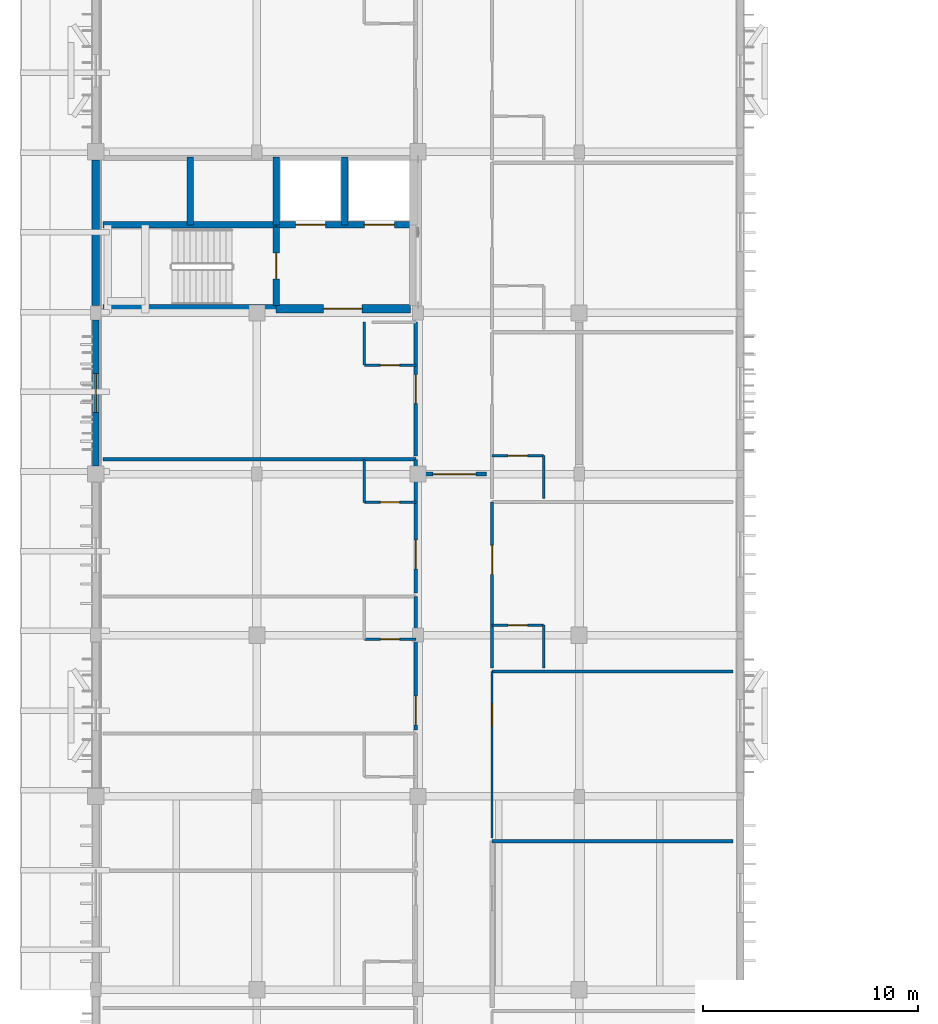
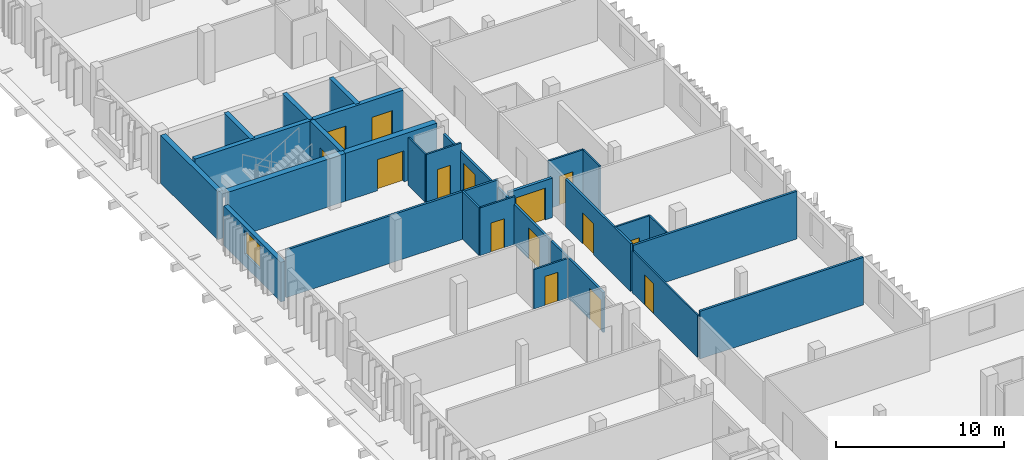
# One storey, part 17 of 43: 28 walls, 15 doors, 1 window, 16 openings.
"""IFC4 building model written with IfcOpenShell, lengths in metres."""

from ifc_helpers import new_model, si_unit, direction, frame, frame_2d, origin, place, context, subcontext, project, spatial, rectangle, extrude, material, layer, layer_set, type_object, element, fill, save


model = new_model("IFC4")

# Units and contexts
model_context = context("Model", 3, precision=1e-05, world=origin(), true_north=direction((0.0, 1.0)))
body_context = subcontext(model_context, "Body", "Model", "MODEL_VIEW")
ifc_project = project(units=[si_unit("LENGTHUNIT", "METRE"), si_unit("AREAUNIT", "SQUARE_METRE"), si_unit("VOLUMEUNIT", "CUBIC_METRE"), si_unit("PLANEANGLEUNIT", "RADIAN"), si_unit("MASSUNIT", "GRAM", prefix="KILO")], contexts=[model_context])

# Site, building, storey
site_placement = place(None, origin())
site = spatial("IfcSite", under=ifc_project, at=site_placement, CompositionType="ELEMENT")
building_placement = place(site_placement, origin())
building = spatial("IfcBuilding", under=site, at=building_placement, Name="Dalvernix Boulevard General Hospital", CompositionType="ELEMENT")
storey_placement = place(building_placement, frame((0.0, 0.0, 14.10009765625)))
storey = spatial("IfcBuildingStorey", under=building, at=storey_placement, Name="L03", CompositionType="ELEMENT", Elevation=14.10009765625)

# Wall
ifc_material_1 = material(Name="Concrete C40/50", Category="concrete")
ifc_layer_1 = layer(ifc_material_1, 0.39990234375)
ifc_layer_set_1 = layer_set([ifc_layer_1], Name="Concrete C40/50 (WAL-CSW-01)")
wall_type_1 = type_object("IfcWallType", Name="WAL-CSW-01", PredefinedType="SHEAR", material=ifc_layer_set_1)
wall_1_placement = place(storey_placement, frame((0.35009765625, 54.199951171875, 0.0), z_axis=(0.0, 0.0, 1.0), x_axis=(1.0, 0.0, 0.0)))
element("IfcWall", 1, at=wall_1_placement, inside=storey, type_object=wall_type_1, Name="L03 C2 south stairwell wall", PredefinedType="SHEAR", context=body_context, shape_type="SweptSolid", body=[
    extrude(rectangle(XDim=8.0498046875, YDim=0.39990234375, at=frame_2d((4.02490234375, 0.0))), origin(), (0.0, 0.0, 1.0), 3.469970703125),
])

# Wall, opening, door
wall_2_placement = place(storey_placement, frame((8.39990234375, 54.199951171875, 0.0), z_axis=(0.0, 0.0, 1.0), x_axis=(1.0, 0.0, 0.0)))
wall_2 = element("IfcWall", 2, at=wall_2_placement, inside=storey, type_object=wall_type_1, Name="L03 C2 south firefighting lobby wall", PredefinedType="SHEAR", context=body_context, shape_type="SweptSolid", body=[
    extrude(rectangle(XDim=6.25, YDim=0.39990234375, at=frame_2d((3.125, 0.0))), origin(), (0.0, 0.0, 1.0), 3.469970703125),
])
opening_1_placement = place(wall_2_placement, frame((2.199951171875, 0.0, 0.0)))
opening_1 = element("IfcOpeningElement", 3, at=opening_1_placement, cuts=wall_2, Name="Opening FD-01", PredefinedType="OPENING", context=body_context, shape_type="SweptSolid", body=[
    extrude(rectangle(XDim=1.800048828125, YDim=2.25, at=frame_2d((0.89990234375, 1.125))), frame((0.0, 0.2099609375, 0.0), z_axis=(0.0, -1.0, 0.0), x_axis=(1.0, 0.0, 0.0)), (0.0, 0.0, 1.0), 0.419921875),
])
ifc_material_2 = material(Name="Hospital laminate acoustic timber and steel frame", Category="steel")
door_type_1 = type_object("IfcDoorType", Name="DR-FD-01", OperationType="DOUBLE_DOOR_SINGLE_SWING", PredefinedType="DOOR", material=ifc_material_2)
door_1_placement = place(opening_1_placement, origin())
door_1 = element("IfcDoor", 4, at=door_1_placement, inside=storey, type_object=door_type_1, Name="L03 C2 firefighting lobby door", OperationType="DOUBLE_DOOR_SINGLE_SWING", OverallHeight=2.25, OverallWidth=1.800048828125, PredefinedType="DOOR", context=body_context, shape_type="SweptSolid", body=[
    extrude(rectangle(XDim=1.800048828125, YDim=2.25, at=frame_2d((0.89990234375, 1.125))), frame((0.0, 0.02490234375, 0.0), z_axis=(0.0, -1.0, 0.0), x_axis=(1.0, 0.0, 0.0)), (0.0, 0.0, 1.0), 0.050048828125),
])
fill(opening_1, door_1)

# Wall
ifc_layer_2 = layer(ifc_material_1, 0.300048828125)
ifc_layer_set_2 = layer_set([ifc_layer_2], Name="Concrete C40/50 (WAL-CSW-02)")
wall_type_2 = type_object("IfcWallType", Name="WAL-CSW-02", PredefinedType="SHEAR", material=ifc_layer_set_2)
wall_3_placement = place(storey_placement, frame((0.35009765625, 58.10009765625, 0.0), z_axis=(0.0, 0.0, 1.0), x_axis=(1.0, 0.0, 0.0)))
element("IfcWall", 5, at=wall_3_placement, inside=storey, type_object=wall_type_2, Name="L03 C2 riser spine wall", PredefinedType="SHEAR", context=body_context, shape_type="SweptSolid", body=[
    extrude(rectangle(XDim=8.0498046875, YDim=0.300048828125, at=frame_2d((4.02490234375, 0.0))), origin(), (0.0, 0.0, 1.0), 3.469970703125),
])

# Wall, openings, doors
wall_4_placement = place(storey_placement, frame((8.39990234375, 58.10009765625, 0.0), z_axis=(0.0, 0.0, 1.0), x_axis=(1.0, 0.0, 0.0)))
wall_4 = element("IfcWall", 6, at=wall_4_placement, inside=storey, type_object=wall_type_2, Name="L03 C2 lift shaft front wall", PredefinedType="SHEAR", context=body_context, shape_type="SweptSolid", body=[
    extrude(rectangle(XDim=6.25, YDim=0.300048828125, at=frame_2d((3.125, 0.0))), origin(), (0.0, 0.0, 1.0), 3.469970703125),
])
opening_2_placement = place(wall_4_placement, frame((0.89990234375, 0.0, 0.0)))
opening_2 = element("IfcOpeningElement", 7, at=opening_2_placement, cuts=wall_4, Name="Opening LD-FFL-03-L03", PredefinedType="OPENING", context=body_context, shape_type="SweptSolid", body=[
    extrude(rectangle(XDim=1.39990234375, YDim=2.25, at=frame_2d((0.699951171875, 1.125))), frame((0.0, 0.159912109375, 0.0), z_axis=(0.0, -1.0, 0.0), x_axis=(1.0, 0.0, 0.0)), (0.0, 0.0, 1.0), 0.320068359375),
])
opening_3_placement = place(wall_4_placement, frame((4.10009765625, 0.0, 0.0)))
opening_3 = element("IfcOpeningElement", 8, at=opening_3_placement, cuts=wall_4, Name="Opening LD-FFL-04-L03", PredefinedType="OPENING", context=body_context, shape_type="SweptSolid", body=[
    extrude(rectangle(XDim=1.39990234375, YDim=2.25, at=frame_2d((0.699951171875, 1.125))), frame((0.0, 0.159912109375, 0.0), z_axis=(0.0, -1.0, 0.0), x_axis=(1.0, 0.0, 0.0)), (0.0, 0.0, 1.0), 0.320068359375),
])
ifc_material_3 = material(Name="Stainless-clad steel", Category="steel")
door_type_2 = type_object("IfcDoorType", Name="DR-LD-01", OperationType="DOUBLE_DOOR_SLIDING", PredefinedType="DOOR", material=ifc_material_3)
door_2_placement = place(opening_2_placement, origin())
door_2 = element("IfcDoor", 9, at=door_2_placement, inside=storey, type_object=door_type_2, Name="L03 Lift FFL-03 sliding landing door", OperationType="DOUBLE_DOOR_SLIDING", OverallHeight=2.25, OverallWidth=1.39990234375, PredefinedType="DOOR", context=body_context, shape_type="SweptSolid", body=[
    extrude(rectangle(XDim=1.39990234375, YDim=2.25, at=frame_2d((0.699951171875, 1.125))), frame((0.0, 0.02490234375, 0.0), z_axis=(0.0, -1.0, 0.0), x_axis=(1.0, 0.0, 0.0)), (0.0, 0.0, 1.0), 0.050048828125),
])
fill(opening_2, door_2)
door_3_placement = place(opening_3_placement, origin())
door_3 = element("IfcDoor", 10, at=door_3_placement, inside=storey, type_object=door_type_2, Name="L03 Lift FFL-04 sliding landing door", OperationType="DOUBLE_DOOR_SLIDING", OverallHeight=2.25, OverallWidth=1.39990234375, PredefinedType="DOOR", context=body_context, shape_type="SweptSolid", body=[
    extrude(rectangle(XDim=1.39990234375, YDim=2.25, at=frame_2d((0.699951171875, 1.125))), frame((0.0, 0.02490234375, 0.0), z_axis=(0.0, -1.0, 0.0), x_axis=(1.0, 0.0, 0.0)), (0.0, 0.0, 1.0), 0.050048828125),
])
fill(opening_3, door_3)

# Wall, opening, door
wall_5_placement = place(storey_placement, frame((8.39990234375, 58.0, 0.0), z_axis=(0.0, 0.0, 1.0), x_axis=(0.0, -1.0, 0.0)))
wall_5 = element("IfcWall", 11, at=wall_5_placement, inside=storey, type_object=wall_type_2, Name="L03 C2 stairwell fire wall", PredefinedType="SHEAR", context=body_context, shape_type="SweptSolid", body=[
    extrude(rectangle(XDim=3.64990234375, YDim=0.300048828125, at=frame_2d((1.824951171875, 0.0))), origin(), (0.0, 0.0, 1.0), 3.469970703125),
])
opening_4_placement = place(wall_5_placement, frame((1.219970703125, 0.0, 0.0)))
opening_4 = element("IfcOpeningElement", 12, at=opening_4_placement, cuts=wall_5, Name="Opening FD-02", PredefinedType="OPENING", context=body_context, shape_type="SweptSolid", body=[
    extrude(rectangle(XDim=1.199951171875, YDim=2.25, at=frame_2d((0.60009765625, 1.125))), frame((0.0, 0.159912109375, 0.0), z_axis=(0.0, -1.0, 0.0), x_axis=(1.0, 0.0, 0.0)), (0.0, 0.0, 1.0), 0.320068359375),
])
door_type_3 = type_object("IfcDoorType", Name="DR-FD-02", OperationType="NOTDEFINED", PredefinedType="DOOR", material=ifc_material_2)
door_4_placement = place(opening_4_placement, origin())
door_4 = element("IfcDoor", 13, at=door_4_placement, inside=storey, type_object=door_type_3, Name="L03 Stair ST-02 fire door", OperationType="SINGLE_SWING_LEFT", OverallHeight=2.25, OverallWidth=1.199951171875, PredefinedType="DOOR", context=body_context, shape_type="SweptSolid", body=[
    extrude(rectangle(XDim=1.199951171875, YDim=2.25, at=frame_2d((0.60009765625, 1.125))), frame((0.0, 0.02490234375, 0.0), z_axis=(0.0, -1.0, 0.0), x_axis=(1.0, 0.0, 0.0)), (0.0, 0.0, 1.0), 0.050048828125),
])
fill(opening_4, door_4)

# Walls
for number, where, z_axis, x_axis, name in (
    (14, (4.39990234375, 58.10009765625, 0.0), (0.0, 0.0, 1.0), (0.0, 1.0, 0.0), "L03 C2 shaft divider R1"),
    (15, (8.39990234375, 58.10009765625, 0.0), (0.0, 0.0, 1.0), (0.0, 1.0, 0.0), "L03 C2 shaft divider R2"),
    (16, (11.60009765625, 58.10009765625, 0.0), (0.0, 0.0, 1.0), (0.0, 1.0, 0.0), "L03 C2 shaft divider L1"),
):
    element("IfcWall", number, at=place(storey_placement, frame(where, z_axis=z_axis, x_axis=x_axis)), inside=storey, type_object=wall_type_2, Name=name, PredefinedType="SHEAR", context=body_context, shape_type="SweptSolid", body=[
        extrude(rectangle(XDim=3.14990234375, YDim=0.300048828125, at=frame_2d((1.574951171875, 0.0))), origin(), (0.0, 0.0, 1.0), 3.469970703125),
    ])
ifc_layer_3 = layer(ifc_material_1, 0.35009765625)
ifc_layer_set_3 = layer_set([ifc_layer_3], Name="Concrete C40/50 (WAL-ESW-01)")
wall_type_3 = type_object("IfcWallType", Name="WAL-ESW-01", PredefinedType="SHEAR", material=ifc_layer_set_3)
wall_6_placement = place(storey_placement, frame((0.0, 54.3349609375, 0.0), z_axis=(0.0, 0.0, 1.0), x_axis=(0.0, 1.0, 0.0)))
element("IfcWall", 17, at=wall_6_placement, inside=storey, type_object=wall_type_3, Name="L03 core perimeter shear wall W 0-7", PredefinedType="SHEAR", context=body_context, shape_type="SweptSolid", body=[
    extrude(rectangle(XDim=6.780029296875, YDim=0.35009765625, at=frame_2d((3.39013671875, 0.0))), origin(), (0.0, 0.0, 1.0), 3.469970703125),
])

# Wall, opening, window
ifc_material_4 = material(Name="Pressed Catalan clay brick and ceramic spandrel wall C35/45", Category="masonry")
ifc_layer_4 = layer(ifc_material_4, 0.300048828125)
ifc_layer_set_4 = layer_set([ifc_layer_4], Name="Pressed Catalan clay brick and ceramic spandrel wall C35/45 (WAL-EW-02)")
wall_type_4 = type_object("IfcWallType", Name="WAL-EW-02", PredefinedType="STANDARD", material=ifc_layer_set_4)
wall_7_placement = place(storey_placement, frame((0.0, 46.885009765625, 0.0), z_axis=(0.0, 0.0, 1.0), x_axis=(0.0, 1.0, 0.0)))
wall_7 = element("IfcWall", 18, at=wall_7_placement, inside=storey, type_object=wall_type_4, Name="L03 Catalan brick external wall W 0-6", PredefinedType="STANDARD", context=body_context, shape_type="SweptSolid", body=[
    extrude(rectangle(XDim=6.780029296875, YDim=0.300048828125, at=frame_2d((3.39013671875, 0.0))), origin(), (0.0, 0.0, 1.0), 2.869873046875),
])
opening_5_placement = place(wall_7_placement, frame((2.489990234375, 0.0, 0.89990234375)))
opening_5 = element("IfcOpeningElement", 19, at=opening_5_placement, cuts=wall_7, Name="Opening WN-16", PredefinedType="OPENING", context=body_context, shape_type="SweptSolid", body=[
    extrude(rectangle(XDim=1.800048828125, YDim=1.68994140625, at=frame_2d((0.89990234375, 0.844970703125))), frame((0.0, 0.159912109375, 0.0), z_axis=(0.0, -1.0, 0.0), x_axis=(1.0, 0.0, 0.0)), (0.0, 0.0, 1.0), 0.320068359375),
])
ifc_material_5 = material(Name="Thermally broken aluminium frame with solar-control double glazing", Category="aluminium")
window_type = type_object("IfcWindowType", Name="WIN-WN-16", PartitioningType="SINGLE_PANEL", PredefinedType="WINDOW", material=ifc_material_5)
window_placement = place(opening_5_placement, origin())
window = element("IfcWindow", 20, at=window_placement, inside=storey, type_object=window_type, Name="L03 clinical window WN-16 W 0-6", OverallHeight=1.68994140625, OverallWidth=1.800048828125, PartitioningType="SINGLE_PANEL", PredefinedType="WINDOW", context=body_context, shape_type="SweptSolid", body=[
    extrude(rectangle(XDim=1.800048828125, YDim=1.68994140625, at=frame_2d((0.89990234375, 0.844970703125))), frame((0.0, 0.030029296875, 0.0), z_axis=(0.0, -1.0, 0.0), x_axis=(1.0, 0.0, 0.0)), (0.0, 0.0, 1.0), 0.06005859375),
])
fill(opening_5, window)

# Wall, opening, door
ifc_material_6 = material(Name="Fire-compartment corridor masonry wall", Category="masonry")
ifc_layer_5 = layer(ifc_material_6, 0.199951171875)
ifc_layer_set_5 = layer_set([ifc_layer_5], Name="Fire-compartment corridor masonry wall (WAL-IW-02)")
wall_type_5 = type_object("IfcWallType", Name="WAL-IW-02", PredefinedType="STANDARD", material=ifc_layer_set_5)
wall_8_placement = place(storey_placement, frame((15.199951171875, 46.5, 0.0), z_axis=(0.0, 0.0, 1.0), x_axis=(1.0, 0.0, 0.0)))
wall_8 = element("IfcWall", 21, at=wall_8_placement, inside=storey, type_object=wall_type_5, Name="L03 horizontal progressive evacuation compartment wall 4", PredefinedType="STANDARD", context=body_context, shape_type="SweptSolid", body=[
    extrude(rectangle(XDim=3.0, YDim=0.199951171875, at=frame_2d((1.5, 0.0))), origin(), (0.0, 0.0, 1.0), 2.85498046875),
])
opening_6_placement = place(wall_8_placement, frame((0.5, 0.0, 0.0)))
opening_6 = element("IfcOpeningElement", 22, at=opening_6_placement, cuts=wall_8, Name="Opening FD-03", PredefinedType="OPENING", context=body_context, shape_type="SweptSolid", body=[
    extrude(rectangle(XDim=2.0, YDim=2.300048828125, at=frame_2d((1.0, 1.14990234375))), frame((0.0, 0.10986328125, 0.0), z_axis=(0.0, -1.0, 0.0), x_axis=(1.0, 0.0, 0.0)), (0.0, 0.0, 1.0), 0.219970703125),
])
door_type_4 = type_object("IfcDoorType", Name="DR-FD-03", OperationType="DOUBLE_DOOR_SINGLE_SWING", PredefinedType="DOOR", material=ifc_material_2)
door_5_placement = place(opening_6_placement, origin())
door_5 = element("IfcDoor", 23, at=door_5_placement, inside=storey, type_object=door_type_4, Name="L03 horizontal compartment hold-open fire door 4", OperationType="DOUBLE_DOOR_SINGLE_SWING", OverallHeight=2.300048828125, OverallWidth=2.0, PredefinedType="DOOR", context=body_context, shape_type="SweptSolid", body=[
    extrude(rectangle(XDim=2.0, YDim=2.300048828125, at=frame_2d((1.0, 1.14990234375))), frame((0.0, 0.02490234375, 0.0), z_axis=(0.0, -1.0, 0.0), x_axis=(1.0, 0.0, 0.0)), (0.0, 0.0, 1.0), 0.050048828125),
])
fill(opening_6, door_5)

ifc_material_7 = material(Name="Acoustic double-stud gypsum inpatient partition")
ifc_layer_6 = layer(ifc_material_7, 0.14990234375)
ifc_layer_set_6 = layer_set([ifc_layer_6], Name="Acoustic double-stud gypsum inpatient partition (WAL-IW-04)")
wall_type_6 = type_object("IfcWallType", Name="WAL-IW-04", PredefinedType="PARTITIONING", material=ifc_layer_set_6)
wall_9_placement = place(storey_placement, frame((14.89990234375, 34.580078125, 0.0), z_axis=(0.0, 0.0, 1.0), x_axis=(0.0, 1.0, 0.0)))
wall_9 = element("IfcWall", 24, at=wall_9_placement, inside=storey, type_object=wall_type_6, Name="L03 Telemetry Ward Bay L03-W05 corridor wall", PredefinedType="PARTITIONING", context=body_context, shape_type="SweptSolid", body=[
    extrude(rectangle(XDim=6.22314453125, YDim=0.14990234375, at=frame_2d((3.111572265625, 0.0))), origin(), (0.0, 0.0, 1.0), 2.90478515625),
])
opening_7_placement = place(wall_9_placement, frame((0.25, 0.0, 0.0)))
opening_7 = element("IfcOpeningElement", 25, at=opening_7_placement, cuts=wall_9, Name="Opening ID-01", PredefinedType="OPENING", context=body_context, shape_type="SweptSolid", body=[
    extrude(rectangle(XDim=1.35009765625, YDim=2.25, at=frame_2d((0.675048828125, 1.125))), frame((0.0, 0.0849609375, 0.0), z_axis=(0.0, -1.0, 0.0), x_axis=(1.0, 0.0, 0.0)), (0.0, 0.0, 1.0), 0.169921875),
])
door_type_5 = type_object("IfcDoorType", Name="DR-ID-01", OperationType="NOTDEFINED", PredefinedType="DOOR", material=ifc_material_2)
door_6_placement = place(opening_7_placement, origin())
door_6 = element("IfcDoor", 26, at=door_6_placement, inside=storey, type_object=door_type_5, Name="L03 Telemetry Ward Bay L03-W05 door", OperationType="SINGLE_SWING_RIGHT", OverallHeight=2.25, OverallWidth=1.35009765625, PredefinedType="DOOR", context=body_context, shape_type="SweptSolid", body=[
    extrude(rectangle(XDim=1.35009765625, YDim=2.25, at=frame_2d((0.675048828125, 1.125))), frame((0.0, 0.02490234375, 0.0), z_axis=(0.0, -1.0, 0.0), x_axis=(1.0, 0.0, 0.0)), (0.0, 0.0, 1.0), 0.050048828125),
])
fill(opening_7, door_6)

wall_10_placement = place(storey_placement, frame((14.89990234375, 40.96337890625, 0.0), z_axis=(0.0, 0.0, 1.0), x_axis=(0.0, 1.0, 0.0)))
wall_10 = element("IfcWall", 27, at=wall_10_placement, inside=storey, type_object=wall_type_6, Name="L03 Cardiology Step-Down Patient Room L03-W06 corridor wall", PredefinedType="PARTITIONING", context=body_context, shape_type="SweptSolid", body=[
    extrude(rectangle(XDim=6.223388671875, YDim=0.14990234375, at=frame_2d((3.11181640625, 0.0))), origin(), (0.0, 0.0, 1.0), 2.90478515625),
])
opening_8_placement = place(wall_10_placement, frame((1.124755859375, 0.0, 0.0)))
opening_8 = element("IfcOpeningElement", 28, at=opening_8_placement, cuts=wall_10, Name="Opening ID-01", PredefinedType="OPENING", context=body_context, shape_type="SweptSolid", body=[
    extrude(rectangle(XDim=1.35009765625, YDim=2.25, at=frame_2d((0.675048828125, 1.125))), frame((0.0, 0.0849609375, 0.0), z_axis=(0.0, -1.0, 0.0), x_axis=(1.0, 0.0, 0.0)), (0.0, 0.0, 1.0), 0.169921875),
])
door_7_placement = place(opening_8_placement, origin())
door_7 = element("IfcDoor", 29, at=door_7_placement, inside=storey, type_object=door_type_5, Name="L03 Cardiology Step-Down Patient Room L03-W06 door", OperationType="SINGLE_SWING_RIGHT", OverallHeight=2.25, OverallWidth=1.35009765625, PredefinedType="DOOR", context=body_context, shape_type="SweptSolid", body=[
    extrude(rectangle(XDim=1.35009765625, YDim=2.25, at=frame_2d((0.675048828125, 1.125))), frame((0.0, 0.02490234375, 0.0), z_axis=(0.0, -1.0, 0.0), x_axis=(1.0, 0.0, 0.0)), (0.0, 0.0, 1.0), 0.050048828125),
])
fill(opening_8, door_7)

wall_11_placement = place(storey_placement, frame((14.89990234375, 47.3466796875, 0.0), z_axis=(0.0, 0.0, 1.0), x_axis=(0.0, 1.0, 0.0)))
wall_11 = element("IfcWall", 30, at=wall_11_placement, inside=storey, type_object=wall_type_6, Name="L03 Telemetry Ward Bay L03-W07 corridor wall", PredefinedType="PARTITIONING", context=body_context, shape_type="SweptSolid", body=[
    extrude(rectangle(XDim=6.223388671875, YDim=0.14990234375, at=frame_2d((3.11181640625, 0.0))), origin(), (0.0, 0.0, 1.0), 2.90478515625),
])
opening_9_placement = place(wall_11_placement, frame((2.436767578125, 0.0, 0.0)))
opening_9 = element("IfcOpeningElement", 31, at=opening_9_placement, cuts=wall_11, Name="Opening ID-01", PredefinedType="OPENING", context=body_context, shape_type="SweptSolid", body=[
    extrude(rectangle(XDim=1.35009765625, YDim=2.25, at=frame_2d((0.675048828125, 1.125))), frame((0.0, 0.0849609375, 0.0), z_axis=(0.0, -1.0, 0.0), x_axis=(1.0, 0.0, 0.0)), (0.0, 0.0, 1.0), 0.169921875),
])
door_8_placement = place(opening_9_placement, origin())
door_8 = element("IfcDoor", 32, at=door_8_placement, inside=storey, type_object=door_type_5, Name="L03 Telemetry Ward Bay L03-W07 door", OperationType="SINGLE_SWING_RIGHT", OverallHeight=2.25, OverallWidth=1.35009765625, PredefinedType="DOOR", context=body_context, shape_type="SweptSolid", body=[
    extrude(rectangle(XDim=1.35009765625, YDim=2.25, at=frame_2d((0.675048828125, 1.125))), frame((0.0, 0.02490234375, 0.0), z_axis=(0.0, -1.0, 0.0), x_axis=(1.0, 0.0, 0.0)), (0.0, 0.0, 1.0), 0.050048828125),
])
fill(opening_9, door_8)

wall_12_placement = place(storey_placement, frame((18.449951171875, 45.199951171875, 0.0), z_axis=(0.0, 0.0, 1.0), x_axis=(0.0, -1.0, 0.0)))
wall_12 = element("IfcWall", 33, at=wall_12_placement, inside=storey, type_object=wall_type_6, Name="L03 Single Patient Room L03-E03 corridor wall", PredefinedType="PARTITIONING", context=body_context, shape_type="SweptSolid", body=[
    extrude(rectangle(XDim=7.73486328125, YDim=0.14990234375, at=frame_2d((3.867431640625, 0.0))), origin(), (0.0, 0.0, 1.0), 3.454833984375),
])
opening_10_placement = place(wall_12_placement, frame((2.015380859375, 0.0, 0.0)))
opening_10 = element("IfcOpeningElement", 34, at=opening_10_placement, cuts=wall_12, Name="Opening ID-01", PredefinedType="OPENING", context=body_context, shape_type="SweptSolid", body=[
    extrude(rectangle(XDim=1.35009765625, YDim=2.25, at=frame_2d((0.675048828125, 1.125))), frame((0.0, 0.0849609375, 0.0), z_axis=(0.0, -1.0, 0.0), x_axis=(1.0, 0.0, 0.0)), (0.0, 0.0, 1.0), 0.169921875),
])
door_9_placement = place(opening_10_placement, origin())
door_9 = element("IfcDoor", 35, at=door_9_placement, inside=storey, type_object=door_type_5, Name="L03 Single Patient Room L03-E03 door", OperationType="SINGLE_SWING_LEFT", OverallHeight=2.25, OverallWidth=1.35009765625, PredefinedType="DOOR", context=body_context, shape_type="SweptSolid", body=[
    extrude(rectangle(XDim=1.35009765625, YDim=2.25, at=frame_2d((0.675048828125, 1.125))), frame((0.0, 0.02490234375, 0.0), z_axis=(0.0, -1.0, 0.0), x_axis=(1.0, 0.0, 0.0)), (0.0, 0.0, 1.0), 0.050048828125),
])
fill(opening_10, door_9)

# Walls
wall_13_placement = place(storey_placement, frame((0.35009765625, 47.186767578125, 0.0), z_axis=(0.0, 0.0, 1.0), x_axis=(1.0, 0.0, 0.0)))
element("IfcWall", 36, at=wall_13_placement, inside=storey, type_object=wall_type_6, Name="L03 Cardiology Step-Down Patient Room L03-W06 partition", PredefinedType="PARTITIONING", context=body_context, shape_type="SweptSolid", body=[
    extrude(rectangle(XDim=14.5498046875, YDim=0.14990234375, at=frame_2d((7.27490234375, 0.0))), origin(), (0.0, 0.0, 1.0), 3.454833984375),
])
for number, where, z_axis, x_axis, name in (
    (37, (18.449951171875, 29.409912109375, 0.0), (0.0, 0.0, 1.0), (1.0, 0.0, 0.0), "L03 Clinical Treatment and Procedure Room L03 partition"),
    (38, (18.449951171875, 37.304931640625, 0.0), (0.0, 0.0, 1.0), (1.0, 0.0, 0.0), "L03 Patient and Family Day Lounge L03 partition"),
):
    element("IfcWall", number, at=place(storey_placement, frame(where, z_axis=z_axis, x_axis=x_axis)), inside=storey, type_object=wall_type_6, Name=name, PredefinedType="PARTITIONING", context=body_context, shape_type="SweptSolid", body=[
        extrude(rectangle(XDim=11.199951171875, YDim=0.14990234375, at=frame_2d((5.60009765625, 0.0))), origin(), (0.0, 0.0, 1.0), 3.454833984375),
    ])

# Wall, opening, door
ifc_material_8 = material(Name="Moisture-resistant en-suite bathroom partition")
ifc_layer_7 = layer(ifc_material_8, 0.1201171875)
ifc_layer_set_7 = layer_set([ifc_layer_7], Name="Moisture-resistant en-suite bathroom partition (WAL-IW-05)")
wall_type_7 = type_object("IfcWallType", Name="WAL-IW-05", PredefinedType="PARTITIONING", material=ifc_layer_set_7)
wall_14_placement = place(storey_placement, frame((12.5, 38.80322265625, 0.0), z_axis=(0.0, 0.0, 1.0), x_axis=(1.0, 0.0, 0.0)))
wall_14 = element("IfcWall", 39, at=wall_14_placement, inside=storey, type_object=wall_type_7, Name="L03 en-suite bathroom door wall", PredefinedType="PARTITIONING", context=body_context, shape_type="SweptSolid", body=[
    extrude(rectangle(XDim=2.39990234375, YDim=0.1201171875, at=frame_2d((1.199951171875, 0.0))), origin(), (0.0, 0.0, 1.0), 2.85498046875),
])
opening_11_placement = place(wall_14_placement, frame((0.75, 0.0, 0.0)))
opening_11 = element("IfcOpeningElement", 40, at=opening_11_placement, cuts=wall_14, Name="Opening ID-05", PredefinedType="OPENING", context=body_context, shape_type="SweptSolid", body=[
    extrude(rectangle(XDim=0.89990234375, YDim=2.10009765625, at=frame_2d((0.449951171875, 1.050048828125))), frame((0.0, 0.070068359375, 0.0), z_axis=(0.0, -1.0, 0.0), x_axis=(1.0, 0.0, 0.0)), (0.0, 0.0, 1.0), 0.14013671875),
])
door_type_6 = type_object("IfcDoorType", Name="DR-ID-05", OperationType="NOTDEFINED", PredefinedType="DOOR", material=ifc_material_2)
door_10_placement = place(opening_11_placement, origin())
door_10 = element("IfcDoor", 41, at=door_10_placement, inside=storey, type_object=door_type_6, Name="L03 L03-WRD-W05 en-suite bathroom door", OperationType="SINGLE_SWING_LEFT", OverallHeight=2.10009765625, OverallWidth=0.89990234375, PredefinedType="DOOR", context=body_context, shape_type="SweptSolid", body=[
    extrude(rectangle(XDim=0.89990234375, YDim=2.10009765625, at=frame_2d((0.449951171875, 1.050048828125))), frame((0.0, 0.02490234375, 0.0), z_axis=(0.0, -1.0, 0.0), x_axis=(1.0, 0.0, 0.0)), (0.0, 0.0, 1.0), 0.050048828125),
])
fill(opening_11, door_10)

wall_15_placement = place(storey_placement, frame((12.5, 45.186767578125, 0.0), z_axis=(0.0, 0.0, 1.0), x_axis=(1.0, 0.0, 0.0)))
wall_15 = element("IfcWall", 42, at=wall_15_placement, inside=storey, type_object=wall_type_7, Name="L03 en-suite bathroom door wall", PredefinedType="PARTITIONING", context=body_context, shape_type="SweptSolid", body=[
    extrude(rectangle(XDim=2.39990234375, YDim=0.1201171875, at=frame_2d((1.199951171875, 0.0))), origin(), (0.0, 0.0, 1.0), 3.454833984375),
])
opening_12_placement = place(wall_15_placement, frame((0.75, 0.0, 0.0)))
opening_12 = element("IfcOpeningElement", 43, at=opening_12_placement, cuts=wall_15, Name="Opening ID-05", PredefinedType="OPENING", context=body_context, shape_type="SweptSolid", body=[
    extrude(rectangle(XDim=0.89990234375, YDim=2.10009765625, at=frame_2d((0.449951171875, 1.050048828125))), frame((0.0, 0.070068359375, 0.0), z_axis=(0.0, -1.0, 0.0), x_axis=(1.0, 0.0, 0.0)), (0.0, 0.0, 1.0), 0.14013671875),
])
door_11_placement = place(opening_12_placement, origin())
door_11 = element("IfcDoor", 44, at=door_11_placement, inside=storey, type_object=door_type_6, Name="L03 L03-WRD-W06 en-suite bathroom door", OperationType="SINGLE_SWING_LEFT", OverallHeight=2.10009765625, OverallWidth=0.89990234375, PredefinedType="DOOR", context=body_context, shape_type="SweptSolid", body=[
    extrude(rectangle(XDim=0.89990234375, YDim=2.10009765625, at=frame_2d((0.449951171875, 1.050048828125))), frame((0.0, 0.02490234375, 0.0), z_axis=(0.0, -1.0, 0.0), x_axis=(1.0, 0.0, 0.0)), (0.0, 0.0, 1.0), 0.050048828125),
])
fill(opening_12, door_11)

# Wall
wall_16_placement = place(storey_placement, frame((12.5, 45.186767578125, 0.0), z_axis=(0.0, 0.0, 1.0), x_axis=(0.0, 1.0, 0.0)))
element("IfcWall", 45, at=wall_16_placement, inside=storey, type_object=wall_type_7, Name="L03 en-suite bathroom side wall", PredefinedType="PARTITIONING", context=body_context, shape_type="SweptSolid", body=[
    extrude(rectangle(XDim=2.0, YDim=0.1201171875, at=frame_2d((1.0, 0.0))), origin(), (0.0, 0.0, 1.0), 3.454833984375),
])

# Wall, opening, door
wall_17_placement = place(storey_placement, frame((12.5, 51.570068359375, 0.0), z_axis=(0.0, 0.0, 1.0), x_axis=(1.0, 0.0, 0.0)))
wall_17 = element("IfcWall", 46, at=wall_17_placement, inside=storey, type_object=wall_type_7, Name="L03 en-suite bathroom door wall", PredefinedType="PARTITIONING", context=body_context, shape_type="SweptSolid", body=[
    extrude(rectangle(XDim=2.39990234375, YDim=0.1201171875, at=frame_2d((1.199951171875, 0.0))), origin(), (0.0, 0.0, 1.0), 3.454833984375),
])
opening_13_placement = place(wall_17_placement, frame((0.75, 0.0, 0.0)))
opening_13 = element("IfcOpeningElement", 47, at=opening_13_placement, cuts=wall_17, Name="Opening ID-05", PredefinedType="OPENING", context=body_context, shape_type="SweptSolid", body=[
    extrude(rectangle(XDim=0.89990234375, YDim=2.10009765625, at=frame_2d((0.449951171875, 1.050048828125))), frame((0.0, 0.070068359375, 0.0), z_axis=(0.0, -1.0, 0.0), x_axis=(1.0, 0.0, 0.0)), (0.0, 0.0, 1.0), 0.14013671875),
])
door_12_placement = place(opening_13_placement, origin())
door_12 = element("IfcDoor", 48, at=door_12_placement, inside=storey, type_object=door_type_6, Name="L03 L03-WRD-W07 en-suite bathroom door", OperationType="SINGLE_SWING_LEFT", OverallHeight=2.10009765625, OverallWidth=0.89990234375, PredefinedType="DOOR", context=body_context, shape_type="SweptSolid", body=[
    extrude(rectangle(XDim=0.89990234375, YDim=2.10009765625, at=frame_2d((0.449951171875, 1.050048828125))), frame((0.0, 0.02490234375, 0.0), z_axis=(0.0, -1.0, 0.0), x_axis=(1.0, 0.0, 0.0)), (0.0, 0.0, 1.0), 0.050048828125),
])
fill(opening_13, door_12)

# Wall
wall_18_placement = place(storey_placement, frame((12.5, 51.570068359375, 0.0), z_axis=(0.0, 0.0, 1.0), x_axis=(0.0, 1.0, 0.0)))
element("IfcWall", 49, at=wall_18_placement, inside=storey, type_object=wall_type_7, Name="L03 en-suite bathroom side wall", PredefinedType="PARTITIONING", context=body_context, shape_type="SweptSolid", body=[
    extrude(rectangle(XDim=2.0, YDim=0.1201171875, at=frame_2d((1.0, 0.0))), origin(), (0.0, 0.0, 1.0), 3.454833984375),
])

# Wall, opening, door
wall_19_placement = place(storey_placement, frame((20.85009765625, 39.465087890625, 0.0), z_axis=(0.0, 0.0, 1.0), x_axis=(-1.0, 0.0, 0.0)))
wall_19 = element("IfcWall", 50, at=wall_19_placement, inside=storey, type_object=wall_type_7, Name="L03 en-suite bathroom door wall", PredefinedType="PARTITIONING", context=body_context, shape_type="SweptSolid", body=[
    extrude(rectangle(XDim=2.400146484375, YDim=0.1201171875, at=frame_2d((1.2001953125, 0.0))), origin(), (0.0, 0.0, 1.0), 3.454833984375),
])
opening_14_placement = place(wall_19_placement, frame((0.75, 0.0, 0.0)))
opening_14 = element("IfcOpeningElement", 51, at=opening_14_placement, cuts=wall_19, Name="Opening ID-05", PredefinedType="OPENING", context=body_context, shape_type="SweptSolid", body=[
    extrude(rectangle(XDim=0.89990234375, YDim=2.10009765625, at=frame_2d((0.449951171875, 1.050048828125))), frame((0.0, 0.070068359375, 0.0), z_axis=(0.0, -1.0, 0.0), x_axis=(1.0, 0.0, 0.0)), (0.0, 0.0, 1.0), 0.14013671875),
])
door_13_placement = place(opening_14_placement, origin())
door_13 = element("IfcDoor", 52, at=door_13_placement, inside=storey, type_object=door_type_6, Name="L03 L03-RM-E03 en-suite bathroom door", OperationType="SINGLE_SWING_RIGHT", OverallHeight=2.10009765625, OverallWidth=0.89990234375, PredefinedType="DOOR", context=body_context, shape_type="SweptSolid", body=[
    extrude(rectangle(XDim=0.89990234375, YDim=2.10009765625, at=frame_2d((0.449951171875, 1.050048828125))), frame((0.0, 0.02490234375, 0.0), z_axis=(0.0, -1.0, 0.0), x_axis=(1.0, 0.0, 0.0)), (0.0, 0.0, 1.0), 0.050048828125),
])
fill(opening_14, door_13)

# Wall
wall_20_placement = place(storey_placement, frame((20.85009765625, 37.465087890625, 0.0), z_axis=(0.0, 0.0, 1.0), x_axis=(0.0, 1.0, 0.0)))
element("IfcWall", 53, at=wall_20_placement, inside=storey, type_object=wall_type_7, Name="L03 en-suite bathroom side wall", PredefinedType="PARTITIONING", context=body_context, shape_type="SweptSolid", body=[
    extrude(rectangle(XDim=2.0, YDim=0.1201171875, at=frame_2d((1.0, 0.0))), origin(), (0.0, 0.0, 1.0), 3.454833984375),
])

# Wall, opening, door
wall_21_placement = place(storey_placement, frame((20.85009765625, 47.360107421875, 0.0), z_axis=(0.0, 0.0, 1.0), x_axis=(-1.0, 0.0, 0.0)))
wall_21 = element("IfcWall", 54, at=wall_21_placement, inside=storey, type_object=wall_type_7, Name="L03 en-suite bathroom door wall", PredefinedType="PARTITIONING", context=body_context, shape_type="SweptSolid", body=[
    extrude(rectangle(XDim=2.400146484375, YDim=0.1201171875, at=frame_2d((1.2001953125, 0.0))), origin(), (0.0, 0.0, 1.0), 3.454833984375),
])
opening_15_placement = place(wall_21_placement, frame((0.75, 0.0, 0.0)))
opening_15 = element("IfcOpeningElement", 55, at=opening_15_placement, cuts=wall_21, Name="Opening ID-05", PredefinedType="OPENING", context=body_context, shape_type="SweptSolid", body=[
    extrude(rectangle(XDim=0.89990234375, YDim=2.10009765625, at=frame_2d((0.449951171875, 1.050048828125))), frame((0.0, 0.070068359375, 0.0), z_axis=(0.0, -1.0, 0.0), x_axis=(1.0, 0.0, 0.0)), (0.0, 0.0, 1.0), 0.14013671875),
])
door_14_placement = place(opening_15_placement, origin())
door_14 = element("IfcDoor", 56, at=door_14_placement, inside=storey, type_object=door_type_6, Name="L03 L03-RM-E04 en-suite bathroom door", OperationType="SINGLE_SWING_RIGHT", OverallHeight=2.10009765625, OverallWidth=0.89990234375, PredefinedType="DOOR", context=body_context, shape_type="SweptSolid", body=[
    extrude(rectangle(XDim=0.89990234375, YDim=2.10009765625, at=frame_2d((0.449951171875, 1.050048828125))), frame((0.0, 0.02490234375, 0.0), z_axis=(0.0, -1.0, 0.0), x_axis=(1.0, 0.0, 0.0)), (0.0, 0.0, 1.0), 0.050048828125),
])
fill(opening_15, door_14)

# Wall
wall_22_placement = place(storey_placement, frame((20.85009765625, 45.360107421875, 0.0), z_axis=(0.0, 0.0, 1.0), x_axis=(0.0, 1.0, 0.0)))
element("IfcWall", 57, at=wall_22_placement, inside=storey, type_object=wall_type_7, Name="L03 en-suite bathroom side wall", PredefinedType="PARTITIONING", context=body_context, shape_type="SweptSolid", body=[
    extrude(rectangle(XDim=2.0, YDim=0.1201171875, at=frame_2d((1.0, 0.0))), origin(), (0.0, 0.0, 1.0), 3.454833984375),
])

# Wall, opening, door
ifc_material_9 = material(Name="Fire-resisting clinical sub-partition")
ifc_layer_8 = layer(ifc_material_9, 0.10009765625)
ifc_layer_set_8 = layer_set([ifc_layer_8], Name="Fire-resisting clinical sub-partition (WAL-IW-06)")
wall_type_8 = type_object("IfcWallType", Name="WAL-IW-06", PredefinedType="PARTITIONING", material=ifc_layer_set_8)
wall_23_placement = place(storey_placement, frame((18.449951171875, 37.304931640625, 0.0), z_axis=(0.0, 0.0, 1.0), x_axis=(0.0, -1.0, 0.0)))
wall_23 = element("IfcWall", 58, at=wall_23_placement, inside=storey, type_object=wall_type_8, Name="L03 Patient and Family Day Lounge L03 corridor wall", PredefinedType="PARTITIONING", context=body_context, shape_type="SweptSolid", body=[
    extrude(rectangle(XDim=7.73486328125, YDim=0.10009765625, at=frame_2d((3.867431640625, 0.0))), origin(), (0.0, 0.0, 1.0), 3.054931640625),
])
opening_16_placement = place(wall_23_placement, frame((1.487060546875, 0.0, 0.0)))
opening_16 = element("IfcOpeningElement", 59, at=opening_16_placement, cuts=wall_23, Name="Opening ID-07", PredefinedType="OPENING", context=body_context, shape_type="SweptSolid", body=[
    extrude(rectangle(XDim=1.050048828125, YDim=2.199951171875, at=frame_2d((0.52490234375, 1.10009765625))), frame((0.0, 0.06005859375, 0.0), z_axis=(0.0, -1.0, 0.0), x_axis=(1.0, 0.0, 0.0)), (0.0, 0.0, 1.0), 0.1201171875),
])
door_type_7 = type_object("IfcDoorType", Name="DR-ID-07", OperationType="NOTDEFINED", PredefinedType="DOOR", material=ifc_material_2)
door_15_placement = place(opening_16_placement, origin())
door_15 = element("IfcDoor", 60, at=door_15_placement, inside=storey, type_object=door_type_7, Name="L03 Patient and Family Day Lounge L03 door", OperationType="SINGLE_SWING_RIGHT", OverallHeight=2.199951171875, OverallWidth=1.050048828125, PredefinedType="DOOR", context=body_context, shape_type="SweptSolid", body=[
    extrude(rectangle(XDim=1.050048828125, YDim=2.199951171875, at=frame_2d((0.52490234375, 1.10009765625))), frame((0.0, 0.02490234375, 0.0), z_axis=(0.0, -1.0, 0.0), x_axis=(1.0, 0.0, 0.0)), (0.0, 0.0, 1.0), 0.050048828125),
])
fill(opening_16, door_15)

save(model, "model.ifc")
